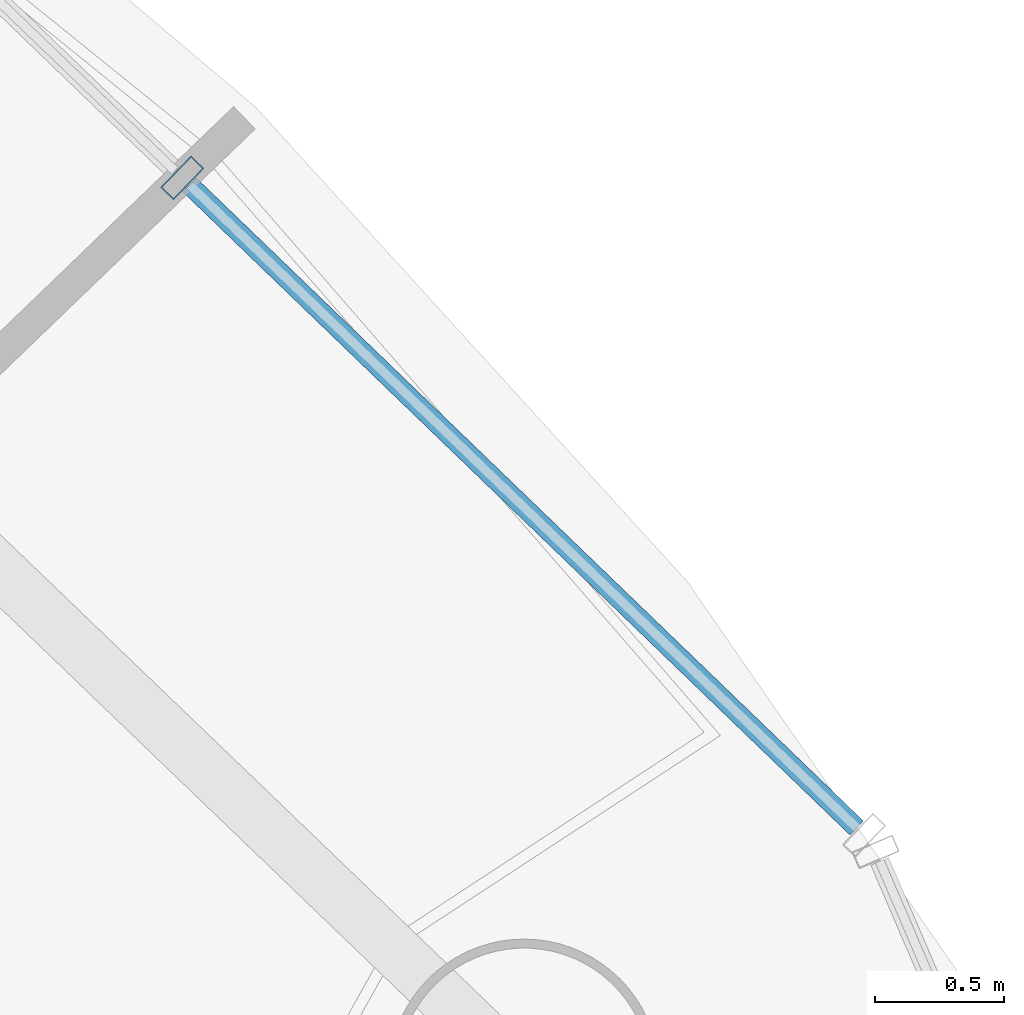
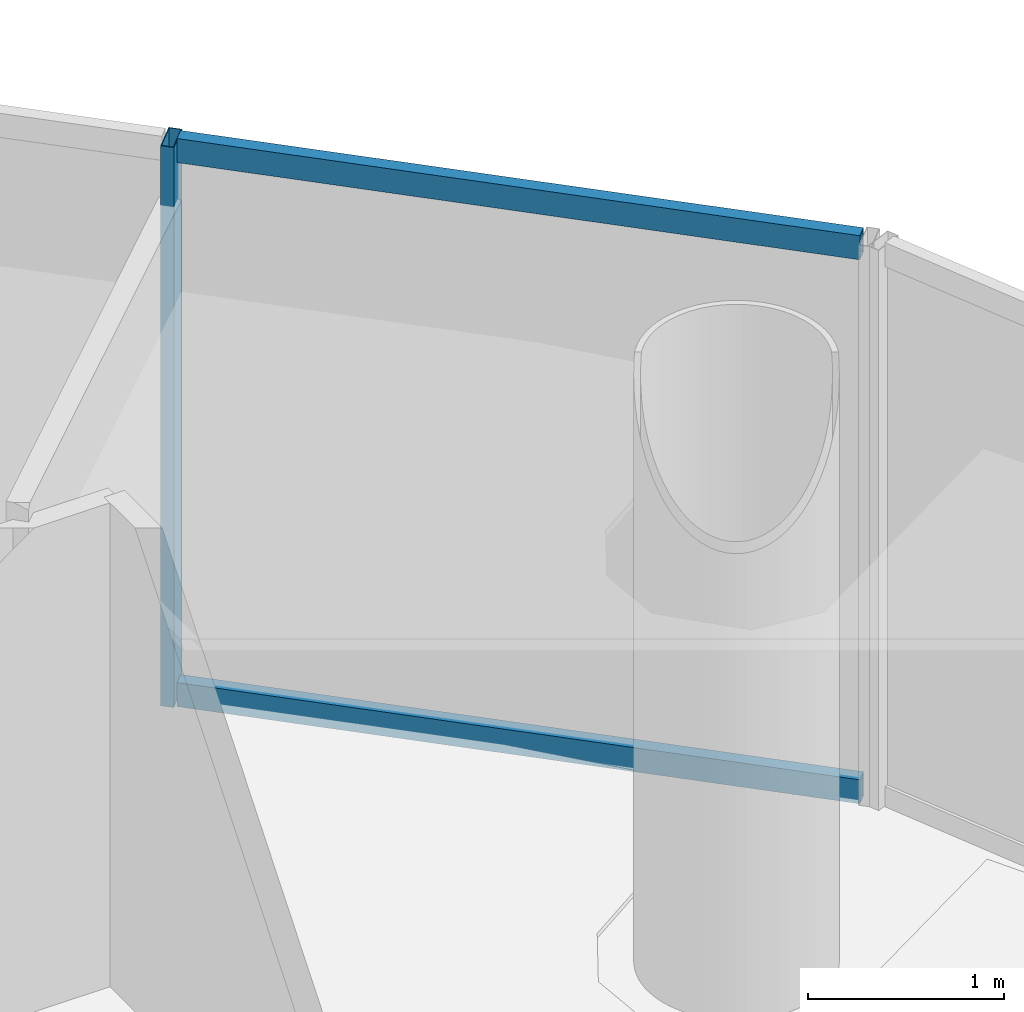
# One storey, part 13 of 24: 3 members, 1 element without a shape of its own.
"""IFC4 building model written with IfcOpenShell, lengths in metres."""

from ifc_helpers import new_model, si_unit, direction, frame, origin, origin_2d, place, context, subcontext, project, spatial, hollow_rectangle, extrude, source, transform, mapped, material, material_profile, profile_set, type_object, element, aggregate, save


model = new_model("IFC4")

# Units and contexts
model_context = context("Model", 3, precision=1e-05, world=origin(), true_north=direction((-0.2419218956, 0.970295726276)))
body_context = subcontext(model_context, "Body", "Model", "MODEL_VIEW")
ifc_project = project(units=[si_unit("LENGTHUNIT", "METRE"), si_unit("AREAUNIT", "SQUARE_METRE"), si_unit("VOLUMEUNIT", "CUBIC_METRE"), si_unit("PLANEANGLEUNIT", "RADIAN"), si_unit("MASSUNIT", "GRAM", prefix="KILO")], contexts=[model_context])

# Site, building, storey
site_placement = place(None, origin())
site = spatial("IfcSite", under=ifc_project, at=site_placement, CompositionType="ELEMENT")
building_placement = place(site_placement, origin())
building = spatial("IfcBuilding", under=site, at=building_placement, Name="Cobrevalo Terracotta Tower", CompositionType="ELEMENT")
storey_placement = place(building_placement, frame((0.0, 0.0, 278.199951171875)))
storey = spatial("IfcBuildingStorey", under=building, at=storey_placement, Name="L73", CompositionType="ELEMENT", Elevation=278.199951171875)

# Curtain wall, members
ifc_material = material(Name="Anodized aluminium", Category="aluminium")
curtain_wall_type = type_object("IfcCurtainWallType", Name="Upper-tower triple-glazed penthouse curtain wall CW-U3", PredefinedType="NOTDEFINED", material=ifc_material)
curtain_wall_placement = place(storey_placement, origin())
curtain_wall = element("IfcCurtainWall", 1, at=curtain_wall_placement, inside=storey, type_object=curtain_wall_type, Name="L73 curtain wall CW-L73-S02", PredefinedType="NOTDEFINED")
ifc_material_profile_1 = material_profile(ifc_material, hollow_rectangle(XDim=0.070068359375, YDim=0.169921875, WallThickness=0.00439453125, at=origin_2d()), Name="CWM 70x170")
ifc_profile_set_1 = profile_set([ifc_material_profile_1], Name="Anodized aluminium")
member_type_1 = type_object("IfcMemberType", Name="Upper tower unitised mullion 70x170", PredefinedType="MULLION", material=ifc_profile_set_1)
shared_shape_1 = source(origin(), body_context, "Body", "SweptSolid", [
    extrude(hollow_rectangle(XDim=0.070068359375, YDim=0.169921875, WallThickness=0.00439453125, at=origin_2d()), origin(), (0.0, 0.0, 1.0), 3.489990234375),
])
member_1_placement = place(storey_placement, frame((51.43359375, 39.748046875, 0.0), z_axis=(0.0, 0.0, 1.0), x_axis=(-0.71999418085, 0.69398010025, 0.0)))
member_1 = element("IfcMember", 2, at=member_1_placement, type_object=member_type_1, Name="CW-L73-S02 vertical mullion 02", PredefinedType="MULLION", context=body_context, shape_type="MappedRepresentation", body=[
    mapped(shared_shape_1, transform((0.0, 0.0, 0.0), scale=1.0)),
])
ifc_material_profile_2 = material_profile(ifc_material, hollow_rectangle(XDim=0.074951171875, YDim=0.14990234375, WallThickness=0.00439453125, at=origin_2d()), Name="CWT 75x150")
ifc_profile_set_2 = profile_set([ifc_material_profile_2], Name="Anodized aluminium")
member_type_2 = type_object("IfcMemberType", Name="Tower unitised aluminium transom 75x150", PredefinedType="USERDEFINED", material=ifc_profile_set_2)
shared_shape_2 = source(origin(), body_context, "Body", "SweptSolid", [
    extrude(hollow_rectangle(XDim=0.074951171875, YDim=0.14990234375, WallThickness=0.00439453125, at=origin_2d()), origin(), (0.0, 0.0, 1.0), 3.59130859375),
])
member_2_placement = place(storey_placement, frame((54.0478515625, 37.22802734375, 0.050048828125), z_axis=(-0.720005628362, 0.693968223427, 0.0), x_axis=(-0.693968223427, -0.720005628362, 0.0)))
member_2 = element("IfcMember", 3, at=member_2_placement, type_object=member_type_2, Name="CW-L73-S02 transom B01-T1", ObjectType="TRANSOM", PredefinedType="USERDEFINED", context=body_context, shape_type="MappedRepresentation", body=[
    mapped(shared_shape_2, transform((0.0, 0.0, 0.0), scale=1.0)),
])
member_3_placement = place(storey_placement, frame((54.0478515625, 37.22802734375, 3.43994140625), z_axis=(-0.720005628362, 0.693968223427, 0.0), x_axis=(-0.693968223427, -0.720005628362, 0.0)))
member_3 = element("IfcMember", 4, at=member_3_placement, type_object=member_type_2, Name="CW-L73-S02 transom B01-T2", ObjectType="TRANSOM", PredefinedType="USERDEFINED", context=body_context, shape_type="MappedRepresentation", body=[
    mapped(shared_shape_2, transform((0.0, 0.0, 0.0), scale=1.0)),
])
aggregate(curtain_wall, [member_1, member_2, member_3])

save(model, "model.ifc")
